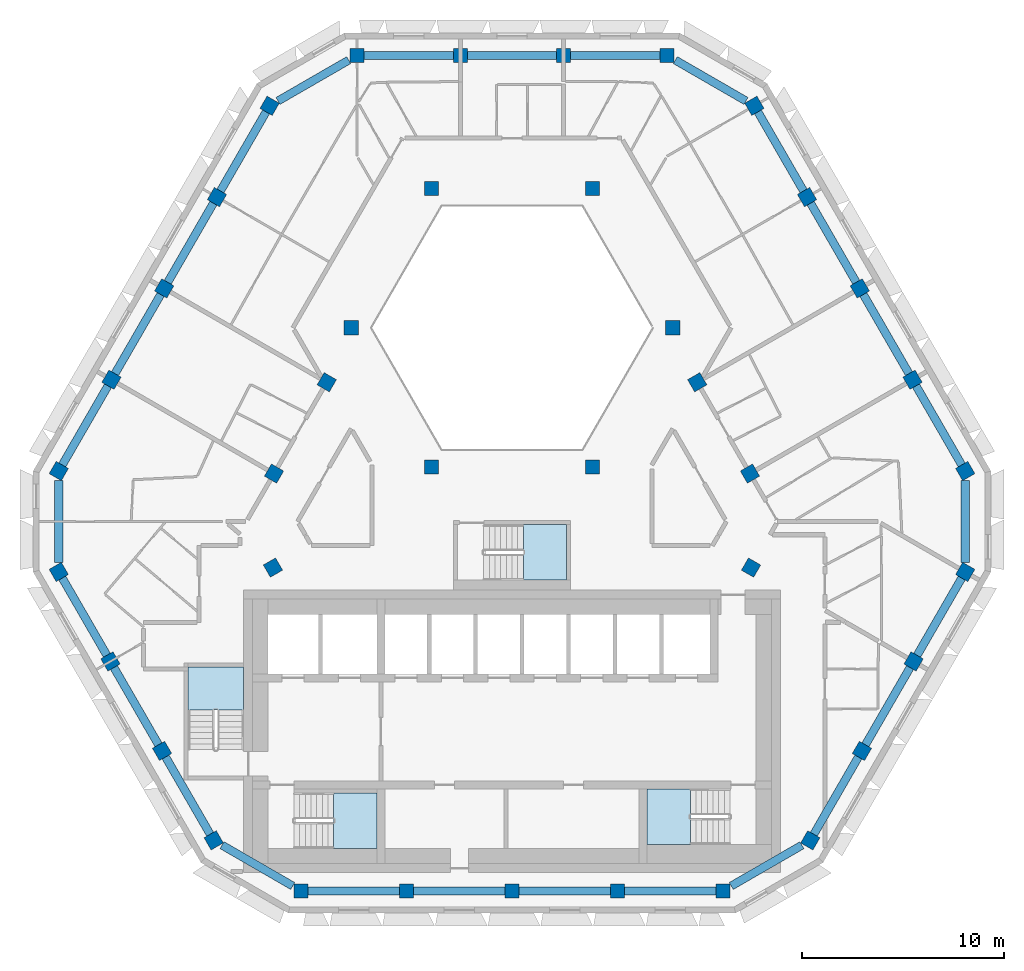
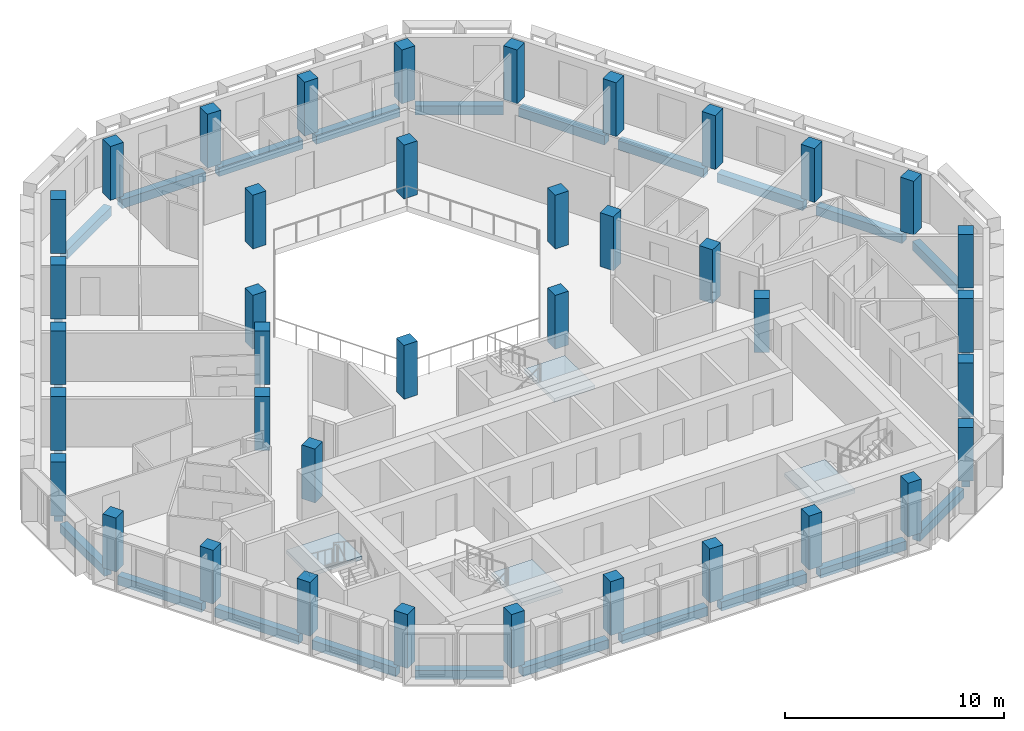
# One storey, part 1 of 15: 39 columns, 27 beams, 4 slabs, 4 elements without a shape of their own.
"""IFC4 building model written with IfcOpenShell, lengths in metres."""

from ifc_helpers import new_model, si_unit, direction, frame, origin, origin_2d, place, context, subcontext, project, spatial, polyline, rectangle, outline, extrude, material, layer, layer_set, material_profile, profile_set, type_object, element, aggregate, save


model = new_model("IFC4")

# Units and contexts
model_context = context("Model", 3, precision=1e-05, world=origin(), true_north=direction((0.0, 1.0)))
body_context = subcontext(model_context, "Body", "Model", "MODEL_VIEW")
ifc_project = project(units=[si_unit("LENGTHUNIT", "METRE"), si_unit("AREAUNIT", "SQUARE_METRE"), si_unit("VOLUMEUNIT", "CUBIC_METRE"), si_unit("PLANEANGLEUNIT", "RADIAN"), si_unit("MASSUNIT", "GRAM", prefix="KILO")], contexts=[model_context])

# Site, building, storey
site_placement = place(None, origin())
site = spatial("IfcSite", under=ifc_project, at=site_placement, CompositionType="ELEMENT")
building_placement = place(site_placement, origin())
building = spatial("IfcBuilding", under=site, at=building_placement, Name="Beryl Residences", CompositionType="ELEMENT")
storey_placement = place(building_placement, frame((0.0, 0.0, 211.800048828125)))
storey = spatial("IfcBuildingStorey", under=building, at=storey_placement, Name="L65", CompositionType="ELEMENT", Elevation=211.800048828125)

# Columns
ifc_material_1 = material(Name="Concrete C50/60", Category="concrete")
ifc_material_profile_1 = material_profile(ifc_material_1, rectangle(XDim=0.699951171875, YDim=0.699951171875, at=origin_2d()))
ifc_profile_set_1 = profile_set([ifc_material_profile_1], Name="Concrete C50/60")
column_type_1 = type_object("IfcColumnType", Name="C5 tube column 700 x 700 C50/60", PredefinedType="COLUMN", material=ifc_profile_set_1)
for number, where, z_axis, x_axis, name in (
    (1, (7.678955078125, 21.5, 0.0), (0.0, 0.0, 1.0), (-1.0, 0.0, 0.0), "C5-N1 L65"),
    (2, (2.56005859375, 21.5, 0.0), (0.0, 0.0, 1.0), (-1.0, 0.0, 0.0), "C5-N2 L65"),
    (3, (-2.55908203125, 21.5, 0.0), (0.0, 0.0, 1.0), (-1.0, 0.0, 0.0), "C5-N3 L65"),
    (4, (-7.677978515625, 21.5, 0.0), (0.0, 0.0, 1.0), (-1.0, 0.0, 0.0), "C5-N4 L65"),
    (5, (-12.009033203125, 19.0, 0.0), (0.0, 0.0, 1.0), (-0.499969769706, -0.866042856549, 0.0), "C5-NW1 L65"),
    (6, (-14.62109375, 14.47509765625, 0.0), (0.0, 0.0, 1.0), (-0.499969769706, -0.866042856549, 0.0), "C5-NW2 L65"),
    (7, (-17.23291015625, 9.949951171875, 0.0), (0.0, 0.0, 1.0), (-0.499969769706, -0.866042856549, 0.0), "C5-NW3 L65"),
    (8, (-19.845947265625, 5.425048828125, 0.0), (0.0, 0.0, 1.0), (-0.499969769706, -0.866042856549, 0.0), "C5-NW4 L65"),
    (9, (-22.4580078125, 0.89990234375, 0.0), (0.0, 0.0, 1.0), (-0.499969769706, -0.866042856549, 0.0), "C5-NW5 L65"),
    (10, (-22.458984375, -4.10009765625, 0.0), (0.0, 0.0, 1.0), (0.499984884929, -0.866034130299, 0.0), "C5-SW1 L65"),
    (11, (-19.89892578125, -8.532958984375, 0.0), (0.0, 0.0, 1.0), (0.499984884929, -0.866034130299, 0.0), "C5-SW2 L65"),
    (12, (-17.340087890625, -12.966064453125, 0.0), (0.0, 0.0, 1.0), (0.499984884929, -0.866034130299, 0.0), "C5-SW3 L65"),
    (13, (-14.781005859375, -17.39892578125, 0.0), (0.0, 0.0, 1.0), (0.499984884929, -0.866034130299, 0.0), "C5-SW4 L65"),
    (14, (-10.449951171875, -19.89990234375, 0.0), (0.0, 0.0, 1.0), (1.0, 0.0, 0.0), "C5-S1 L65"),
    (15, (-5.22509765625, -19.89990234375, 0.0), (0.0, 0.0, 1.0), (1.0, 0.0, 0.0), "C5-S2 L65"),
    (16, (0.0, -19.89990234375, 0.0), (0.0, 0.0, 1.0), (1.0, 0.0, 0.0), "C5-S3 L65"),
    (17, (5.22509765625, -19.89990234375, 0.0), (0.0, 0.0, 1.0), (1.0, 0.0, 0.0), "C5-S4 L65"),
    (18, (10.449951171875, -19.89990234375, 0.0), (0.0, 0.0, 1.0), (1.0, 0.0, 0.0), "C5-S5 L65"),
    (19, (14.780029296875, -17.39990234375, 0.0), (0.0, 0.0, 1.0), (0.499984884929, 0.866034130299, 0.0), "C5-SE1 L65"),
    (20, (17.339111328125, -12.967041015625, 0.0), (0.0, 0.0, 1.0), (0.499984884929, 0.866034130299, 0.0), "C5-SE2 L65"),
    (21, (19.89892578125, -8.533935546875, 0.0), (0.0, 0.0, 1.0), (0.499984884929, 0.866034130299, 0.0), "C5-SE3 L65"),
    (22, (22.4580078125, -4.10107421875, 0.0), (0.0, 0.0, 1.0), (0.499984884929, 0.866034130299, 0.0), "C5-SE4 L65"),
    (23, (22.4580078125, 0.89990234375, 0.0), (0.0, 0.0, 1.0), (-0.499969769706, 0.866042856549, 0.0), "C5-NE1 L65"),
    (24, (19.845947265625, 5.425048828125, 0.0), (0.0, 0.0, 1.0), (-0.499969769706, 0.866042856549, 0.0), "C5-NE2 L65"),
    (25, (17.23291015625, 9.949951171875, 0.0), (0.0, 0.0, 1.0), (-0.499969769706, 0.866042856549, 0.0), "C5-NE3 L65"),
    (26, (14.62109375, 14.47509765625, 0.0), (0.0, 0.0, 1.0), (-0.499969769706, 0.866042856549, 0.0), "C5-NE4 L65"),
    (27, (12.009033203125, 19.0, 0.0), (0.0, 0.0, 1.0), (-0.499969769706, 0.866042856549, 0.0), "C5-NE5 L65"),
):
    element("IfcColumn", number, at=place(storey_placement, frame(where, z_axis=z_axis, x_axis=x_axis)), inside=storey, type_object=column_type_1, Name=name, PredefinedType="COLUMN", context=body_context, shape_type="SweptSolid", body=[
        extrude(rectangle(XDim=0.699951171875, YDim=0.699951171875, at=origin_2d()), origin(), (0.0, 0.0, 1.0), 3.0),
    ])
ifc_material_2 = material(Name="Concrete C50/60", Category="concrete")
ifc_material_profile_2 = material_profile(ifc_material_2, rectangle(XDim=0.699951171875, YDim=0.699951171875, at=origin_2d()))
ifc_profile_set_2 = profile_set([ifc_material_profile_2], Name="Concrete C50/60")
column_type_2 = type_object("IfcColumnType", Name="IC5 interior column 700 x 700 C50/60", PredefinedType="COLUMN", material=ifc_profile_set_2)
for number, where, z_axis, x_axis, name in (
    (28, (-11.844970703125, -3.883056640625, 0.0), (0.0, 0.0, 1.0), (0.499984884929, -0.866034130299, 0.0), "IC5-M01 L65"),
    (29, (11.844970703125, -3.884033203125, 0.0), (0.0, 0.0, 1.0), (0.499984884929, 0.866034130299, 0.0), "IC5-M02 L65"),
    (30, (11.7919921875, 0.77490234375, 0.0), (0.0, 0.0, 1.0), (-0.499969769706, 0.866042856549, 0.0), "IC5-M03 L65"),
    (31, (3.98388671875, 1.10009765625, 0.0), (0.0, 0.0, 1.0), (1.0, 0.0, 0.0), "IC5-A04 L65"),
    (32, (9.178955078125, 5.300048828125, 0.0), (0.0, 0.0, 1.0), (-0.499969769706, 0.866042856549, 0.0), "IC5-M05 L65"),
    (33, (7.967041015625, 8.0, 0.0), (0.0, 0.0, 1.0), (1.0, 0.0, 0.0), "IC5-A06 L65"),
    (34, (3.98388671875, 14.89990234375, 0.0), (0.0, 0.0, 1.0), (1.0, 0.0, 0.0), "IC5-A07 L65"),
    (35, (-3.98388671875, 14.89990234375, 0.0), (0.0, 0.0, 1.0), (1.0, 0.0, 0.0), "IC5-A08 L65"),
    (36, (-7.967041015625, 8.0, 0.0), (0.0, 0.0, 1.0), (1.0, 0.0, 0.0), "IC5-A09 L65"),
    (37, (-9.178955078125, 5.300048828125, 0.0), (0.0, 0.0, 1.0), (-0.499969769706, -0.866042856549, 0.0), "IC5-M10 L65"),
    (38, (-3.98388671875, 1.10009765625, 0.0), (0.0, 0.0, 1.0), (1.0, 0.0, 0.0), "IC5-A11 L65"),
    (39, (-11.7919921875, 0.77490234375, 0.0), (0.0, 0.0, 1.0), (-0.499969769706, -0.866042856549, 0.0), "IC5-M12 L65"),
):
    element("IfcColumn", number, at=place(storey_placement, frame(where, z_axis=z_axis, x_axis=x_axis)), inside=storey, type_object=column_type_2, Name=name, PredefinedType="COLUMN", context=body_context, shape_type="SweptSolid", body=[
        extrude(rectangle(XDim=0.699951171875, YDim=0.699951171875, at=origin_2d()), origin(), (0.0, 0.0, 1.0), 3.0),
    ])

# Beams
ifc_material_3 = material(Name="Concrete C50/60", Category="concrete")
ifc_material_profile_3 = material_profile(ifc_material_3, rectangle(XDim=0.39990234375, YDim=0.5, at=origin_2d()))
ifc_profile_set_3 = profile_set([ifc_material_profile_3], Name="Concrete C50/60")
beam_type = type_object("IfcBeamType", Name="SB5 spandrel beam 400 x 500 C50/60", PredefinedType="SPANDREL", material=ifc_profile_set_3)
beam_1_placement = place(storey_placement, frame((7.3291015625, 21.5, -0.550048828125), z_axis=(-1.0, 0.0, 0.0), x_axis=(0.0, -1.0, 0.0)))
element("IfcBeam", 40, at=beam_1_placement, inside=storey, type_object=beam_type, Name="SB5 L65 N-0", PredefinedType="SPANDREL", context=body_context, shape_type="SweptSolid", body=[
    extrude(rectangle(XDim=0.39990234375, YDim=0.5, at=origin_2d()), origin(), (0.0, 0.0, 1.0), 4.419189453125),
])
for number, where, z_axis, x_axis, name in (
    (41, (2.2099609375, 21.5, -0.550048828125), (-1.0, 0.0, 0.0), (0.0, -1.0, 0.0), "SB5 L65 N-1"),
    (42, (-2.908935546875, 21.5, -0.550048828125), (-1.0, 0.0, 0.0), (0.0, -1.0, 0.0), "SB5 L65 N-2"),
):
    element("IfcBeam", number, at=place(storey_placement, frame(where, z_axis=z_axis, x_axis=x_axis)), inside=storey, type_object=beam_type, Name=name, PredefinedType="SPANDREL", context=body_context, shape_type="SweptSolid", body=[
        extrude(rectangle(XDim=0.39990234375, YDim=0.5, at=origin_2d()), origin(), (0.0, 0.0, 1.0), 4.4189453125),
    ])
beam_2_placement = place(storey_placement, frame((-8.092041015625, 21.260986328125, -0.550048828125), z_axis=(-0.866073013527, -0.499917528438, 0.0), x_axis=(0.499917528438, -0.866073013527, 0.0)))
element("IfcBeam", 43, at=beam_2_placement, inside=storey, type_object=beam_type, Name="SB5 L65 N-3", PredefinedType="SPANDREL", context=body_context, shape_type="SweptSolid", body=[
    extrude(rectangle(XDim=0.39990234375, YDim=0.5, at=origin_2d()), origin(), (0.0, 0.0, 1.0), 4.044677734375),
])
beam_3_placement = place(storey_placement, frame((-12.18408203125, 18.697021484375, -0.550048828125), z_axis=(-0.499893710643, -0.866086761277, 0.0), x_axis=(0.866086761277, -0.499893710643, 0.0)))
element("IfcBeam", 44, at=beam_3_placement, inside=storey, type_object=beam_type, Name="SB5 L65 NW-0", PredefinedType="SPANDREL", context=body_context, shape_type="SweptSolid", body=[
    extrude(rectangle(XDim=0.39990234375, YDim=0.5, at=origin_2d()), origin(), (0.0, 0.0, 1.0), 4.52490234375),
])
beam_4_placement = place(storey_placement, frame((-14.7958984375, 14.172119140625, -0.550048828125), z_axis=(-0.499910821401, -0.866076884951, 0.0), x_axis=(0.866076884951, -0.499910821401, 0.0)))
element("IfcBeam", 45, at=beam_4_placement, inside=storey, type_object=beam_type, Name="SB5 L65 NW-1", PredefinedType="SPANDREL", context=body_context, shape_type="SweptSolid", body=[
    extrude(rectangle(XDim=0.39990234375, YDim=0.5, at=origin_2d()), origin(), (0.0, 0.0, 1.0), 4.525146484375),
])
beam_5_placement = place(storey_placement, frame((-17.407958984375, 9.64697265625, -0.550048828125), z_axis=(-0.500055572588, -0.865993316558, 0.0), x_axis=(0.865993316558, -0.500055572588, 0.0)))
element("IfcBeam", 46, at=beam_5_placement, inside=storey, type_object=beam_type, Name="SB5 L65 NW-2", PredefinedType="SPANDREL", context=body_context, shape_type="SweptSolid", body=[
    extrude(rectangle(XDim=0.39990234375, YDim=0.5, at=origin_2d()), origin(), (0.0, 0.0, 1.0), 4.525390625),
])
beam_6_placement = place(storey_placement, frame((-20.02099609375, 5.1220703125, -0.550048828125), z_axis=(-0.499870351634, -0.866100243365, 0.0), x_axis=(0.866100243365, -0.499870351634, 0.0)))
element("IfcBeam", 47, at=beam_6_placement, inside=storey, type_object=beam_type, Name="SB5 L65 NW-3", PredefinedType="SPANDREL", context=body_context, shape_type="SweptSolid", body=[
    extrude(rectangle(XDim=0.39990234375, YDim=0.5, at=origin_2d()), origin(), (0.0, 0.0, 1.0), 4.525146484375),
])
beam_7_placement = place(storey_placement, frame((-22.4580078125, 0.422119140625, -0.550048828125), z_axis=(-0.000241472978, -0.999999970845, 0.0), x_axis=(0.999999970845, -0.000241472978, 0.0)))
element("IfcBeam", 48, at=beam_7_placement, inside=storey, type_object=beam_type, Name="SB5 L65 NW-4", PredefinedType="SPANDREL", context=body_context, shape_type="SweptSolid", body=[
    extrude(rectangle(XDim=0.39990234375, YDim=0.5, at=origin_2d()), origin(), (0.0, 0.0, 1.0), 4.044189453125),
])
beam_8_placement = place(storey_placement, frame((-22.283935546875, -4.403076171875, -0.550048828125), z_axis=(0.500084296963, -0.86597672944, 0.0), x_axis=(0.86597672944, 0.500084296963, 0.0)))
element("IfcBeam", 49, at=beam_8_placement, inside=storey, type_object=beam_type, Name="SB5 L65 SW-0", PredefinedType="SPANDREL", context=body_context, shape_type="SweptSolid", body=[
    extrude(rectangle(XDim=0.39990234375, YDim=0.5, at=origin_2d()), origin(), (0.0, 0.0, 1.0), 4.419189453125),
])
beam_9_placement = place(storey_placement, frame((-19.72412109375, -8.8359375, -0.550048828125), z_axis=(0.49993607075, -0.866062310208, 0.0), x_axis=(0.866062310208, 0.49993607075, 0.0)))
element("IfcBeam", 50, at=beam_9_placement, inside=storey, type_object=beam_type, Name="SB5 L65 SW-1", PredefinedType="SPANDREL", context=body_context, shape_type="SweptSolid", body=[
    extrude(rectangle(XDim=0.39990234375, YDim=0.5, at=origin_2d()), origin(), (0.0, 0.0, 1.0), 4.4189453125),
])
beam_10_placement = place(storey_placement, frame((-17.1650390625, -13.26904296875, -0.550048828125), z_axis=(0.499918550948, -0.86607242331, 0.0), x_axis=(0.86607242331, 0.499918550948, 0.0)))
element("IfcBeam", 51, at=beam_10_placement, inside=storey, type_object=beam_type, Name="SB5 L65 SW-2", PredefinedType="SPANDREL", context=body_context, shape_type="SweptSolid", body=[
    extrude(rectangle(XDim=0.39990234375, YDim=0.5, at=origin_2d()), origin(), (0.0, 0.0, 1.0), 4.418701171875),
])
beam_11_placement = place(storey_placement, frame((-14.366943359375, -17.637939453125, -0.550048828125), z_axis=(0.865968468779, -0.500098601359, 0.0), x_axis=(0.500098601359, 0.865968468779, 0.0)))
element("IfcBeam", 52, at=beam_11_placement, inside=storey, type_object=beam_type, Name="SB5 L65 SW-3", PredefinedType="SPANDREL", context=body_context, shape_type="SweptSolid", body=[
    extrude(rectangle(XDim=0.39990234375, YDim=0.5, at=origin_2d()), origin(), (0.0, 0.0, 1.0), 4.045166015625),
])
beam_12_placement = place(storey_placement, frame((-10.10009765625, -19.89990234375, -0.550048828125), z_axis=(1.0, 0.0, 0.0), x_axis=(0.0, 1.0, 0.0)))
element("IfcBeam", 53, at=beam_12_placement, inside=storey, type_object=beam_type, Name="SB5 L65 S-0", PredefinedType="SPANDREL", context=body_context, shape_type="SweptSolid", body=[
    extrude(rectangle(XDim=0.39990234375, YDim=0.5, at=origin_2d()), origin(), (0.0, 0.0, 1.0), 4.525146484375),
])
for number, where, z_axis, x_axis, name in (
    (54, (-4.875, -19.89990234375, -0.550048828125), (1.0, 0.0, 0.0), (0.0, 1.0, 0.0), "SB5 L65 S-1"),
    (55, (0.35009765625, -19.89990234375, -0.550048828125), (1.0, 0.0, 0.0), (0.0, 1.0, 0.0), "SB5 L65 S-2"),
):
    element("IfcBeam", number, at=place(storey_placement, frame(where, z_axis=z_axis, x_axis=x_axis)), inside=storey, type_object=beam_type, Name=name, PredefinedType="SPANDREL", context=body_context, shape_type="SweptSolid", body=[
        extrude(rectangle(XDim=0.39990234375, YDim=0.5, at=origin_2d()), origin(), (0.0, 0.0, 1.0), 4.52490234375),
    ])
beam_13_placement = place(storey_placement, frame((5.574951171875, -19.89990234375, -0.550048828125), z_axis=(1.0, 0.0, 0.0), x_axis=(0.0, 1.0, 0.0)))
element("IfcBeam", 56, at=beam_13_placement, inside=storey, type_object=beam_type, Name="SB5 L65 S-3", PredefinedType="SPANDREL", context=body_context, shape_type="SweptSolid", body=[
    extrude(rectangle(XDim=0.39990234375, YDim=0.5, at=origin_2d()), origin(), (0.0, 0.0, 1.0), 4.525146484375),
])
beam_14_placement = place(storey_placement, frame((10.864013671875, -19.660888671875, -0.550048828125), z_axis=(0.866012652573, 0.500022085096, 0.0), x_axis=(-0.500022085096, 0.866012652573, 0.0)))
element("IfcBeam", 57, at=beam_14_placement, inside=storey, type_object=beam_type, Name="SB5 L65 S-4", PredefinedType="SPANDREL", context=body_context, shape_type="SweptSolid", body=[
    extrude(rectangle(XDim=0.39990234375, YDim=0.5, at=origin_2d()), origin(), (0.0, 0.0, 1.0), 4.043701171875),
])
beam_15_placement = place(storey_placement, frame((14.955078125, -17.096923828125, -0.550048828125), z_axis=(0.499918550948, 0.86607242331, 0.0), x_axis=(-0.86607242331, 0.499918550948, 0.0)))
element("IfcBeam", 58, at=beam_15_placement, inside=storey, type_object=beam_type, Name="SB5 L65 SE-0", PredefinedType="SPANDREL", context=body_context, shape_type="SweptSolid", body=[
    extrude(rectangle(XDim=0.39990234375, YDim=0.5, at=origin_2d()), origin(), (0.0, 0.0, 1.0), 4.418701171875),
])
beam_16_placement = place(storey_placement, frame((17.513916015625, -12.6640625, -0.550048828125), z_axis=(0.500101800387, 0.865966621326, 0.0), x_axis=(-0.865966621326, 0.500101800387, 0.0)))
element("IfcBeam", 59, at=beam_16_placement, inside=storey, type_object=beam_type, Name="SB5 L65 SE-1", PredefinedType="SPANDREL", context=body_context, shape_type="SweptSolid", body=[
    extrude(rectangle(XDim=0.39990234375, YDim=0.5, at=origin_2d()), origin(), (0.0, 0.0, 1.0), 4.41943359375),
])
beam_17_placement = place(storey_placement, frame((20.073974609375, -8.23095703125, -0.550048828125), z_axis=(0.499918550948, 0.86607242331, 0.0), x_axis=(-0.86607242331, 0.499918550948, 0.0)))
element("IfcBeam", 60, at=beam_17_placement, inside=storey, type_object=beam_type, Name="SB5 L65 SE-2", PredefinedType="SPANDREL", context=body_context, shape_type="SweptSolid", body=[
    extrude(rectangle(XDim=0.39990234375, YDim=0.5, at=origin_2d()), origin(), (0.0, 0.0, 1.0), 4.418701171875),
])
beam_18_placement = place(storey_placement, frame((22.4580078125, -3.623046875, -0.550048828125), z_axis=(0.0, 1.0, 0.0), x_axis=(-1.0, 0.0, 0.0)))
element("IfcBeam", 61, at=beam_18_placement, inside=storey, type_object=beam_type, Name="SB5 L65 SE-3", PredefinedType="SPANDREL", context=body_context, shape_type="SweptSolid", body=[
    extrude(rectangle(XDim=0.39990234375, YDim=0.5, at=origin_2d()), origin(), (0.0, 0.0, 1.0), 4.045166015625),
])
beam_19_placement = place(storey_placement, frame((22.282958984375, 1.202880859375, -0.550048828125), z_axis=(-0.499870351634, 0.866100243365, 0.0), x_axis=(-0.866100243365, -0.499870351634, 0.0)))
element("IfcBeam", 62, at=beam_19_placement, inside=storey, type_object=beam_type, Name="SB5 L65 NE-0", PredefinedType="SPANDREL", context=body_context, shape_type="SweptSolid", body=[
    extrude(rectangle(XDim=0.39990234375, YDim=0.5, at=origin_2d()), origin(), (0.0, 0.0, 1.0), 4.525146484375),
])
beam_20_placement = place(storey_placement, frame((19.6708984375, 5.72802734375, -0.550048828125), z_axis=(-0.500055572588, 0.865993316558, 0.0), x_axis=(-0.865993316558, -0.500055572588, 0.0)))
element("IfcBeam", 63, at=beam_20_placement, inside=storey, type_object=beam_type, Name="SB5 L65 NE-1", PredefinedType="SPANDREL", context=body_context, shape_type="SweptSolid", body=[
    extrude(rectangle(XDim=0.39990234375, YDim=0.5, at=origin_2d()), origin(), (0.0, 0.0, 1.0), 4.525390625),
])
beam_21_placement = place(storey_placement, frame((17.05810546875, 10.2529296875, -0.550048828125), z_axis=(-0.499910821401, 0.866076884951, 0.0), x_axis=(-0.866076884951, -0.499910821401, 0.0)))
element("IfcBeam", 64, at=beam_21_placement, inside=storey, type_object=beam_type, Name="SB5 L65 NE-2", PredefinedType="SPANDREL", context=body_context, shape_type="SweptSolid", body=[
    extrude(rectangle(XDim=0.39990234375, YDim=0.5, at=origin_2d()), origin(), (0.0, 0.0, 1.0), 4.525146484375),
])
beam_22_placement = place(storey_placement, frame((14.446044921875, 14.778076171875, -0.550048828125), z_axis=(-0.499893710643, 0.866086761277, 0.0), x_axis=(-0.866086761277, -0.499893710643, 0.0)))
element("IfcBeam", 65, at=beam_22_placement, inside=storey, type_object=beam_type, Name="SB5 L65 NE-3", PredefinedType="SPANDREL", context=body_context, shape_type="SweptSolid", body=[
    extrude(rectangle(XDim=0.39990234375, YDim=0.5, at=origin_2d()), origin(), (0.0, 0.0, 1.0), 4.52490234375),
])
beam_23_placement = place(storey_placement, frame((11.594970703125, 19.239013671875, -0.550048828125), z_axis=(-0.866012652573, 0.500022085096, 0.0), x_axis=(-0.500022085096, -0.866012652573, 0.0)))
element("IfcBeam", 66, at=beam_23_placement, inside=storey, type_object=beam_type, Name="SB5 L65 NE-4", PredefinedType="SPANDREL", context=body_context, shape_type="SweptSolid", body=[
    extrude(rectangle(XDim=0.39990234375, YDim=0.5, at=origin_2d()), origin(), (0.0, 0.0, 1.0), 4.043701171875),
])

# Stair, slab
ifc_material_4 = material(Name="Concrete C40/50", Category="concrete")
stair_type = type_object("IfcStairType", Name="ST1 protected exit stair, half-turn, 1300 mm flights", PredefinedType="HALF_TURN_STAIR", material=ifc_material_4)
stair_1_placement = place(storey_placement, origin())
stair_1 = element("IfcStair", 67, at=stair_1_placement, inside=storey, type_object=stair_type, Name="L65 PROTECTED EXIT STAIR ST-1", PredefinedType="HALF_TURN_STAIR")
ifc_material_5 = material(Name="Concrete C40/50", Category="concrete")
ifc_layer = layer(ifc_material_5, 0.199951171875)
ifc_layer_set = layer_set([ifc_layer], Name="SLD1 stair landing 200 mm")
slab_type = type_object("IfcSlabType", Name="SLD1 stair landing 200 mm", PredefinedType="LANDING", material=ifc_layer_set)
slab_1_placement = place(storey_placement, frame((0.0, 0.0, 1.300048828125)))
slab_1 = element("IfcSlab", 68, at=slab_1_placement, type_object=slab_type, Name="ST-1 landing 1", PredefinedType="LANDING", context=body_context, shape_type="SweptSolid", body=[
    extrude(outline(polyline([(-8.840087890625, -17.800048828125), (-6.699951171875, -17.800048828125), (-6.699951171875, -15.050048828125), (-8.840087890625, -15.050048828125), (-8.840087890625, -17.800048828125)])), origin(), (0.0, 0.0, 1.0), 0.199951171875),
])
aggregate(stair_1, [slab_1])

stair_2_placement = place(storey_placement, origin())
stair_2 = element("IfcStair", 69, at=stair_2_placement, inside=storey, type_object=stair_type, Name="L65 PROTECTED EXIT STAIR ST-2", PredefinedType="HALF_TURN_STAIR")
slab_2_placement = place(storey_placement, frame((0.0, 0.0, 1.300048828125)))
slab_2 = element("IfcSlab", 70, at=slab_2_placement, type_object=slab_type, Name="ST-2 landing 1", PredefinedType="LANDING", context=body_context, shape_type="SweptSolid", body=[
    extrude(outline(polyline([(-13.300048828125, -10.93994140625), (-13.300048828125, -8.800048828125), (-16.050048828125, -8.800048828125), (-16.050048828125, -10.93994140625), (-13.300048828125, -10.93994140625)])), origin(), (0.0, 0.0, 1.0), 0.199951171875),
])
aggregate(stair_2, [slab_2])

stair_3_placement = place(storey_placement, origin())
stair_3 = element("IfcStair", 71, at=stair_3_placement, inside=storey, type_object=stair_type, Name="L65 PROTECTED EXIT STAIR ST-3", PredefinedType="HALF_TURN_STAIR")
slab_3_placement = place(storey_placement, frame((0.0, 0.0, 1.300048828125)))
slab_3 = element("IfcSlab", 72, at=slab_3_placement, type_object=slab_type, Name="ST-3 landing 1", PredefinedType="LANDING", context=body_context, shape_type="SweptSolid", body=[
    extrude(outline(polyline([(8.840087890625, -14.85009765625), (6.699951171875, -14.85009765625), (6.699951171875, -17.60009765625), (8.840087890625, -17.60009765625), (8.840087890625, -14.85009765625)])), origin(), (0.0, 0.0, 1.0), 0.199951171875),
])
aggregate(stair_3, [slab_3])

stair_4_placement = place(storey_placement, origin())
stair_4 = element("IfcStair", 73, at=stair_4_placement, inside=storey, type_object=stair_type, Name="L65 PROTECTED EXIT STAIR ST-4", PredefinedType="HALF_TURN_STAIR")
slab_4_placement = place(storey_placement, frame((0.0, 0.0, 1.300048828125)))
slab_4 = element("IfcSlab", 74, at=slab_4_placement, type_object=slab_type, Name="ST-4 landing 1", PredefinedType="LANDING", context=body_context, shape_type="SweptSolid", body=[
    extrude(outline(polyline([(0.56005859375, -4.5), (2.699951171875, -4.5), (2.699951171875, -1.75), (0.56005859375, -1.75), (0.56005859375, -4.5)])), origin(), (0.0, 0.0, 1.0), 0.199951171875),
])
aggregate(stair_4, [slab_4])

save(model, "model.ifc")
